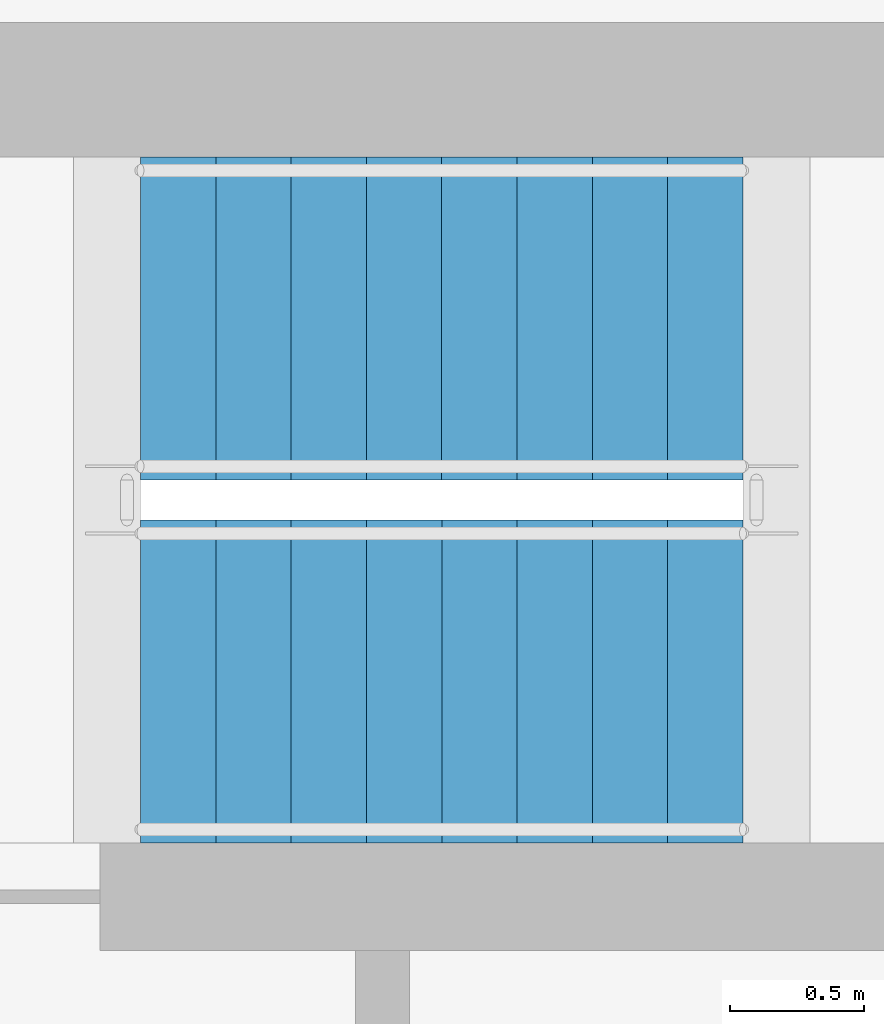
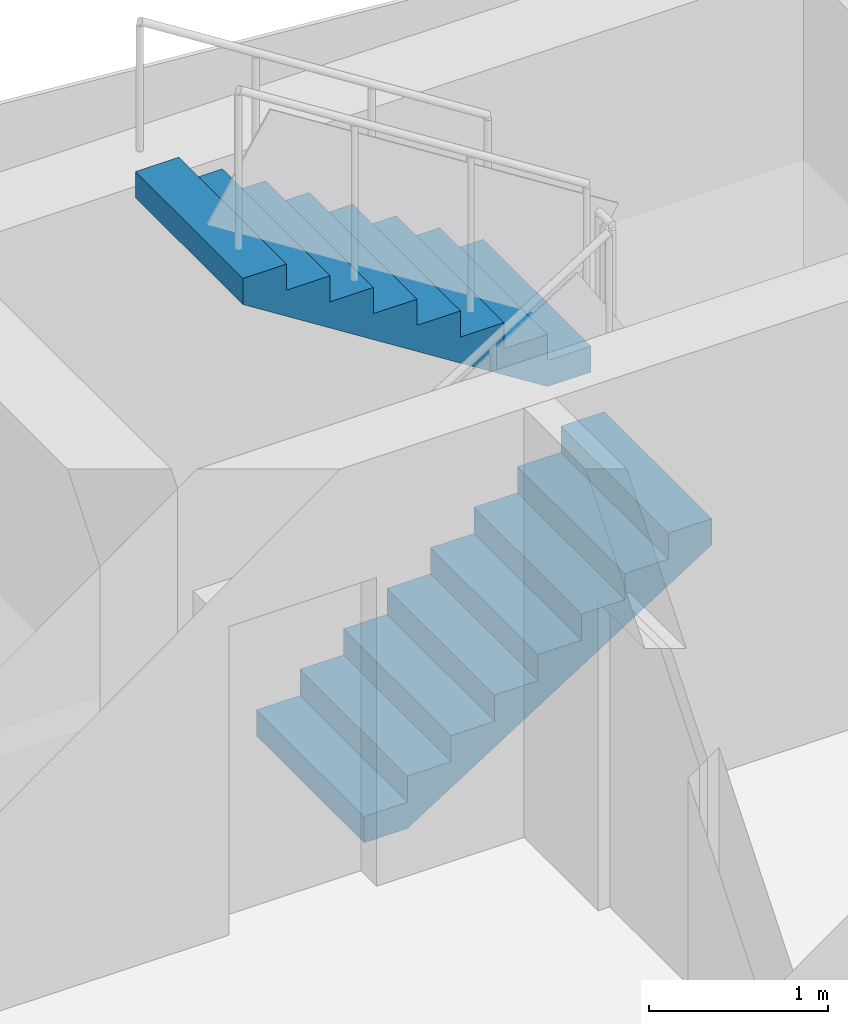
# One storey, part 13 of 17: 2 stair flights, 1 element without a shape of its own.
"""IFC4 building model written with IfcOpenShell, lengths in metres."""

from ifc_helpers import new_model, si_unit, direction, frame, origin, place, context, subcontext, project, spatial, polyline, outline, extrude, material, type_object, element, aggregate, save


model = new_model("IFC4")

# Units and contexts
model_context = context("Model", 3, precision=1e-05, world=origin(), true_north=direction((0.0, 1.0)))
body_context = subcontext(model_context, "Body", "Model", "MODEL_VIEW")
ifc_project = project(units=[si_unit("LENGTHUNIT", "METRE"), si_unit("AREAUNIT", "SQUARE_METRE"), si_unit("VOLUMEUNIT", "CUBIC_METRE"), si_unit("PLANEANGLEUNIT", "RADIAN"), si_unit("MASSUNIT", "GRAM", prefix="KILO")], contexts=[model_context])

# Site, building, storey
site_placement = place(None, origin())
site = spatial("IfcSite", under=ifc_project, at=site_placement, CompositionType="ELEMENT")
building_placement = place(site_placement, origin())
building = spatial("IfcBuilding", under=site, at=building_placement, Name="Vidyagriha Tower", CompositionType="ELEMENT")
storey_placement = place(building_placement, frame((0.0, 0.0, 265.89990234375)))
storey = spatial("IfcBuildingStorey", under=building, at=storey_placement, Name="L69", CompositionType="ELEMENT", Elevation=265.89990234375)

# Stair, stair flights
ifc_material_1 = material(Name="Concrete C40/50", Category="concrete")
stair_type = type_object("IfcStairType", Name="Exit stair, half-turn, precast flights", PredefinedType="HALF_TURN_STAIR", material=ifc_material_1)
stair_placement = place(storey_placement, origin())
stair = element("IfcStair", 1, at=stair_placement, inside=storey, type_object=stair_type, Name="L69 Exit Stair ST3", PredefinedType="HALF_TURN_STAIR")
ifc_material_2 = material(Name="Precast concrete C40/50", Category="concrete")
stair_flight_type = type_object("IfcStairFlightType", Name="Exit stair flight 1200 mm, precast", PredefinedType="STRAIGHT", material=ifc_material_2)
stair_flight_1_placement = place(storey_placement, frame((4.0, 17.550048828125, 0.0)))
stair_flight_1 = element("IfcStairFlight", 2, at=stair_flight_1_placement, type_object=stair_flight_type, Name="ST3 flight 1", NumberOfRisers=9, NumberOfTreads=8, PredefinedType="STRAIGHT", RiserHeight=0.177777778, TreadLength=0.28, context=body_context, shape_type="SweptSolid", body=[
    extrude(outline(polyline([(0.0, 0.0), (0.0, 0.177734375), (0.280029296875, 0.177734375), (0.280029296875, 0.35546875), (0.56005859375, 0.35546875), (0.56005859375, 0.533447265625), (0.840087890625, 0.533447265625), (0.840087890625, 0.711181640625), (1.1201171875, 0.711181640625), (1.1201171875, 0.888916015625), (1.39990234375, 0.888916015625), (1.39990234375, 1.066650390625), (1.679931640625, 1.066650390625), (1.679931640625, 1.244384765625), (1.9599609375, 1.244384765625), (1.9599609375, 1.422119140625), (2.239990234375, 1.422119140625), (2.239990234375, 1.60009765625), (2.239990234375, 1.24462890625), (0.27978515625, 0.0), (0.0, 0.0)])), frame((0.0, 0.60009765625, 0.0), z_axis=(0.0, -1.0, 0.0), x_axis=(1.0, 0.0, 0.0)), (0.0, 0.0, 1.0), 1.199951171875),
])
stair_flight_2_placement = place(storey_placement, frame((6.239990234375, 18.89990234375, 1.60009765625), z_axis=(0.0, 0.0, 1.0), x_axis=(-1.0, 0.0, 0.0)))
stair_flight_2 = element("IfcStairFlight", 3, at=stair_flight_2_placement, type_object=stair_flight_type, Name="ST3 flight 2", NumberOfRisers=9, NumberOfTreads=8, PredefinedType="STRAIGHT", RiserHeight=0.177777778, TreadLength=0.28, context=body_context, shape_type="SweptSolid", body=[
    extrude(outline(polyline([(0.0, 0.0), (0.0, 0.177734375), (0.280029296875, 0.177734375), (0.280029296875, 0.35546875), (0.56005859375, 0.35546875), (0.56005859375, 0.533447265625), (0.840087890625, 0.533447265625), (0.840087890625, 0.711181640625), (1.1201171875, 0.711181640625), (1.1201171875, 0.888916015625), (1.39990234375, 0.888916015625), (1.39990234375, 1.066650390625), (1.679931640625, 1.066650390625), (1.679931640625, 1.244384765625), (1.9599609375, 1.244384765625), (1.9599609375, 1.422119140625), (2.239990234375, 1.422119140625), (2.239990234375, 1.60009765625), (2.239990234375, 1.24462890625), (0.27978515625, 0.0), (0.0, 0.0)])), frame((0.0, 0.60009765625, 0.0), z_axis=(0.0, -1.0, 0.0), x_axis=(1.0, 0.0, 0.0)), (0.0, 0.0, 1.0), 1.199951171875),
])
aggregate(stair, [stair_flight_1, stair_flight_2])

save(model, "model.ifc")
